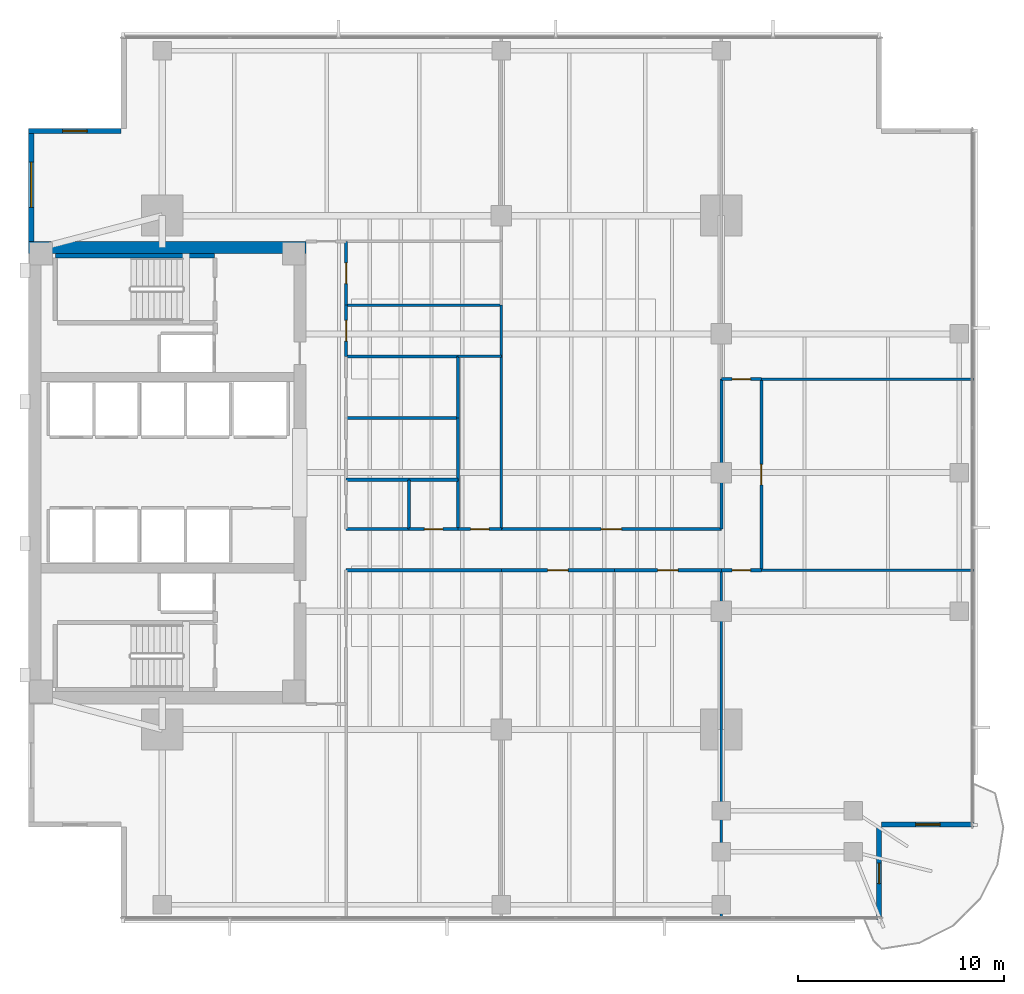
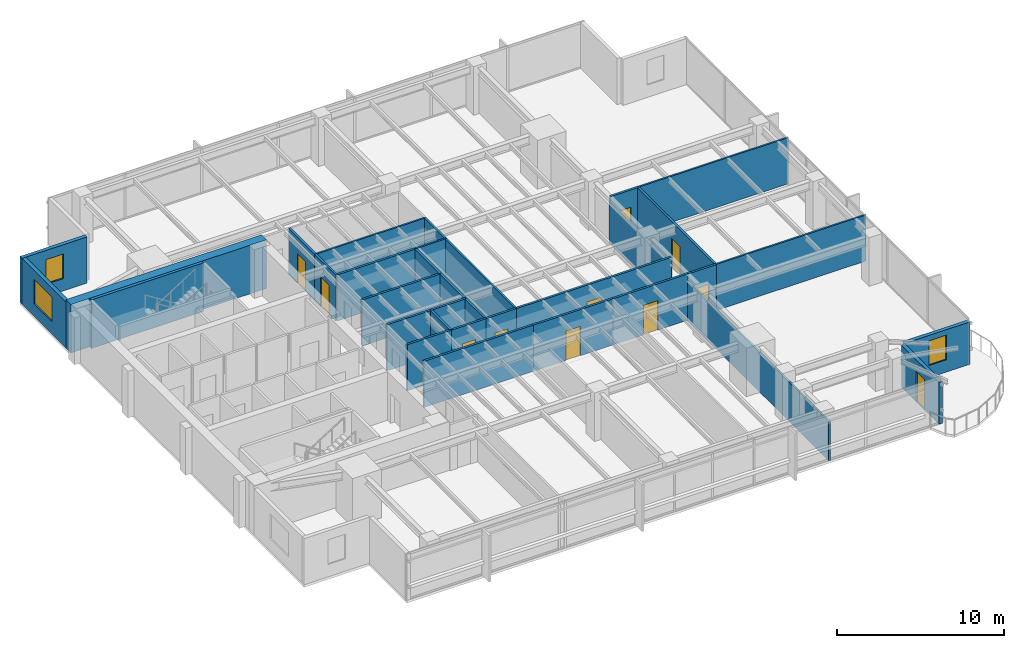
# One storey, part 9 of 15: 34 walls, 11 doors, 3 windows, 14 openings.
"""IFC4 building model written with IfcOpenShell, lengths in metres."""

import ifcopenshell
import ifcopenshell.guid

model = None  # the IFC model being written
_history = None  # IfcOwnerHistory: only IFC2X3 demands one
_inside = {}  # id of a spatial element -> (the spatial element, [elements in it])
_under = {}  # id of a project, library or spatial element -> (it, [spatial elements below it])
_declared = {}  # id of a project -> (the project, [libraries it declares])
_typed = {}  # id of a type object -> (the type object, [elements of that type])
_made_of = {}  # id of a material, layer set ... -> (it, [elements and type objects made of it])


def new_model(schema):
    """Start an empty IFC model of exactly this schema.

    Asked for "IFC4X3", IfcOpenShell would pick the latest addendum, in which some entities
    have other attributes; the version numbers below select the first issue.
    IFC2X3 requires an IfcOwnerHistory on every rooted entity: one is made here for all.
    """
    global model, _history
    if schema == "IFC4X3":
        model = ifcopenshell.file(schema_version=(4, 3, 0, 0))
    else:
        model = ifcopenshell.file(schema=schema)
    _inside.clear()
    _under.clear()
    _declared.clear()
    _typed.clear()
    _made_of.clear()
    _history = None
    if model.schema == "IFC2X3":
        org = make("IfcOrganization", Name="unknown")
        user = make(
            "IfcPersonAndOrganization",
            ThePerson=make("IfcPerson", FamilyName="unknown"),
            TheOrganization=org,
        )
        app = make(
            "IfcApplication",
            ApplicationDeveloper=org,
            Version="unknown",
            ApplicationFullName="unknown",
            ApplicationIdentifier="unknown",
        )
        _history = make(
            "IfcOwnerHistory",
            OwningUser=user,
            OwningApplication=app,
            ChangeAction="ADDED",
            CreationDate=0,
        )
    return model


def make(cls, **values):
    """One entity of the class cls with the attributes given. An attribute that is None is left unset."""
    return model.create_entity(
        cls, **{name: value for name, value in values.items() if value is not None}
    )


def rooted(cls, **values):
    """An entity with a GlobalId (a new one), such as an element, a storey or a relation."""
    return make(cls, GlobalId=ifcopenshell.guid.new(), OwnerHistory=_history, **values)


def si_unit(unit_type, name, prefix=None):
    """IfcSIUnit, for example si_unit("LENGTHUNIT", "METRE", prefix="MILLI")."""
    return make("IfcSIUnit", UnitType=unit_type, Prefix=prefix, Name=name)


def assignment(units):
    """IfcUnitAssignment: the units of a project."""
    return None if units is None else make("IfcUnitAssignment", Units=units)


def point(xyz):
    """IfcCartesianPoint."""
    return None if xyz is None else make("IfcCartesianPoint", Coordinates=xyz)


def direction(xyz):
    """IfcDirection."""
    return None if xyz is None else make("IfcDirection", DirectionRatios=xyz)


def frame(location, z_axis=None, x_axis=None):
    """IfcAxis2Placement3D, a coordinate frame: its origin and axes. An axis left out is left unset."""
    return make(
        "IfcAxis2Placement3D",
        Location=point(location),
        Axis=direction(z_axis),
        RefDirection=direction(x_axis),
    )


def frame_2d(location, x_axis=None):
    """IfcAxis2Placement2D, a coordinate frame in the plane: its origin and x axis."""
    return make(
        "IfcAxis2Placement2D", Location=point(location), RefDirection=direction(x_axis)
    )


def origin():
    """The frame at (0, 0, 0) with its axes left unset."""
    return frame((0.0, 0.0, 0.0))


def place(relative_to, where):
    """IfcLocalPlacement: puts the frame where relative to a parent placement (None: the world)."""
    return make(
        "IfcLocalPlacement", PlacementRelTo=relative_to, RelativePlacement=where
    )


def context(
    kind, dimensions, precision=None, world=None, true_north=None, identifier=None
):
    """IfcGeometricRepresentationContext, for example the 3D "Model" context."""
    return make(
        "IfcGeometricRepresentationContext",
        ContextIdentifier=identifier,
        ContextType=kind,
        CoordinateSpaceDimension=dimensions,
        Precision=precision,
        WorldCoordinateSystem=world,
        TrueNorth=true_north,
    )


def subcontext(parent, identifier, kind, view, scale=None):
    """IfcGeometricRepresentationSubContext, for example "Body" below "Model"."""
    return make(
        "IfcGeometricRepresentationSubContext",
        ContextIdentifier=identifier,
        ContextType=kind,
        ParentContext=parent,
        TargetScale=scale,
        TargetView=view,
    )


def project(units=None, contexts=None):
    """IfcProject with its units and contexts."""
    return rooted(
        "IfcProject",
        Name="project",
        RepresentationContexts=contexts,
        UnitsInContext=assignment(units),
    )


def spatial(cls, under=None, at=None, **own):
    """A site, building, storey or space (cls), placed at a placement, below another one or the project."""
    s = rooted(cls, ObjectPlacement=at, **own)
    if under is not None:
        _under.setdefault(under.id(), (under, []))[1].append(s)
    return s


def profile(cls, at=None, kind="AREA", **sizes):
    """A parametric profile (cls). Its sizes go by their IFC names, for example OverallWidth=200.0."""
    return make(cls, ProfileType=kind, Position=at, **sizes)


def rectangle(**sizes):
    """IfcRectangleProfileDef."""
    return profile("IfcRectangleProfileDef", **sizes)


def extrude(swept, where, along, depth):
    """IfcExtrudedAreaSolid: the profile swept, set in the frame where, extruded along a direction by depth."""
    return make(
        "IfcExtrudedAreaSolid",
        SweptArea=swept,
        Position=where,
        ExtrudedDirection=direction(along),
        Depth=depth,
    )


def shape(context_of_items, identifier, shape_type, items):
    """IfcShapeRepresentation: the items that make up one representation, for example the "Body"."""
    return make(
        "IfcShapeRepresentation",
        ContextOfItems=context_of_items,
        RepresentationIdentifier=identifier,
        RepresentationType=shape_type,
        Items=items,
    )


def material(Name=None, Category=None):
    """IfcMaterial."""
    return make("IfcMaterial", Name=Name, Category=Category)


def layer(
    of_material, thickness, ventilated=None, Name=None, Category=None, Priority=None
):
    """IfcMaterialLayer: one layer of a wall or slab, of a material (None: an air gap)."""
    return make(
        "IfcMaterialLayer",
        Material=of_material,
        LayerThickness=thickness,
        IsVentilated=ventilated,
        Name=Name,
        Category=Category,
        Priority=Priority,
    )


def layer_set(layers, Name=None):
    """IfcMaterialLayerSet."""
    return make("IfcMaterialLayerSet", MaterialLayers=layers, LayerSetName=Name)


def made_of(thing, what):
    """Note that an element or type object is made of a material, layer set ...; save() writes the relation."""
    if what is not None:
        _made_of.setdefault(what.id(), (what, []))[1].append(thing)
    return thing


def type_object(cls, material=None, **own):
    """A type object (cls), such as IfcWallType, which elements share."""
    return made_of(rooted(cls, **own), material)


def element(
    cls,
    number,
    at=None,
    inside=None,
    cuts=None,
    type_object=None,
    material=None,
    context=None,
    identifier="Body",
    shape_type=None,
    held_by="IfcProductDefinitionShape",
    body=None,
    shapes=None,
    **own,
):
    """One element of the class cls, such as IfcWall. Its Tag is "e" and its number.

    at: its placement. inside: the storey or other place that contains it. cuts: it is an
    opening in that element (IfcRelVoidsElement). A single representation is given by context,
    identifier, shape_type and body (its items); several are given by shapes. held_by: the class
    of the entity that holds the representations. save() writes the other relations.
    """
    e = rooted(cls, Tag="e%d" % number, ObjectPlacement=at, **own)
    if body is not None:
        shapes = [shape(context, identifier, shape_type, body)]
    if shapes is not None:
        e.Representation = make(held_by, Representations=shapes)
    if inside is not None:
        _inside.setdefault(inside.id(), (inside, []))[1].append(e)
    if cuts is not None:
        rooted(
            "IfcRelVoidsElement", RelatingBuildingElement=cuts, RelatedOpeningElement=e
        )
    if type_object is not None:
        _typed.setdefault(type_object.id(), (type_object, []))[1].append(e)
    return made_of(e, material)


def fill(opening, filler):
    """IfcRelFillsElement: the door or window that sits in an opening."""
    return rooted(
        "IfcRelFillsElement",
        RelatingOpeningElement=opening,
        RelatedBuildingElement=filler,
    )


def aggregate(whole, parts):
    """IfcRelAggregates: a whole, such as a stair, and the parts it consists of."""
    return rooted("IfcRelAggregates", RelatingObject=whole, RelatedObjects=parts)


def save(model, path):
    """Write the relations noted so far, then the file.

    IfcRelAggregates (storeys below a building ...), IfcRelContainedInSpatialStructure (elements
    in a storey), IfcRelDefinesByType, IfcRelAssociatesMaterial and IfcRelDeclares: one each for
    every whole, place, type object, material and project.
    """
    for whole, parts in _under.values():
        aggregate(whole, parts)
    for where, things in _inside.values():
        rooted(
            "IfcRelContainedInSpatialStructure",
            RelatedElements=things,
            RelatingStructure=where,
        )
    for kind, things in _typed.values():
        rooted("IfcRelDefinesByType", RelatedObjects=things, RelatingType=kind)
    for what, things in _made_of.values():
        rooted("IfcRelAssociatesMaterial", RelatedObjects=things, RelatingMaterial=what)
    for by, libraries in _declared.values():
        rooted("IfcRelDeclares", RelatingContext=by, RelatedDefinitions=libraries)
    model.write(path)


model = new_model("IFC4")

# Units and contexts
model_context = context("Model", 3, precision=1e-05, world=origin(), true_north=direction((0.0, 1.0)))
body_context = subcontext(model_context, "Body", "Model", "MODEL_VIEW")
ifc_project = project(units=[si_unit("LENGTHUNIT", "METRE"), si_unit("AREAUNIT", "SQUARE_METRE"), si_unit("VOLUMEUNIT", "CUBIC_METRE"), si_unit("PLANEANGLEUNIT", "RADIAN"), si_unit("MASSUNIT", "GRAM", prefix="KILO")], contexts=[model_context])

# Site, building, storey
site_placement = place(None, origin())
site = spatial("IfcSite", under=ifc_project, at=site_placement, CompositionType="ELEMENT")
building_placement = place(site_placement, origin())
building = spatial("IfcBuilding", under=site, at=building_placement, Name="Kinhvarn Gate Tower", CompositionType="ELEMENT")
storey_placement = place(building_placement, frame((0.0, 0.0, 109.35009765625)))
storey = spatial("IfcBuildingStorey", under=building, at=storey_placement, Name="L28", CompositionType="ELEMENT", Elevation=109.35009765625)

# Wall
ifc_material_1 = material(Name="Concrete C60/75", Category="concrete")
ifc_layer_1 = layer(ifc_material_1, 0.60009765625)
ifc_layer_set_1 = layer_set([ifc_layer_1], Name="Concrete C60/75")
wall_type_1 = type_object("IfcWallType", Name="WL-CORE-600", PredefinedType="SHEAR", material=ifc_layer_set_1)
wall_1_placement = place(storey_placement, frame((4.5, 36.199951171875, 0.0), z_axis=(0.0, 0.0, 1.0), x_axis=(1.0, 0.0, 0.0)))
element("IfcWall", 1, at=wall_1_placement, inside=storey, type_object=wall_type_1, Name="Core North Shear Wall L28 600 mm", PredefinedType="SHEAR", context=body_context, shape_type="SweptSolid", body=[
    extrude(rectangle(XDim=13.5, YDim=0.60009765625, at=frame_2d((6.75, 0.0))), origin(), (0.0, 0.0, 1.0), 3.5498046875),
])

# Wall, opening, window
ifc_material_2 = material(Name="Fired architectural terracotta", Category="masonry")
ifc_layer_2 = layer(ifc_material_2, 0.25)
ifc_layer_set_2 = layer_set([ifc_layer_2], Name="Fired architectural terracotta")
wall_type_2 = type_object("IfcWallType", Name="WL-EXT-250", PredefinedType="SOLIDWALL", material=ifc_layer_set_2)
wall_2_placement = place(storey_placement, frame((4.625, 42.0, 0.0), z_axis=(0.0, 0.0, 1.0), x_axis=(0.0, -1.0, 0.0)))
wall_2 = element("IfcWall", 2, at=wall_2_placement, inside=storey, type_object=wall_type_2, Name="Exterior Solidwall Wall EW-250 (L28 West-North)", PredefinedType="SOLIDWALL", context=body_context, shape_type="SweptSolid", body=[
    extrude(rectangle(XDim=5.5, YDim=0.25, at=frame_2d((2.75, 0.0))), origin(), (0.0, 0.0, 1.0), 3.369873046875),
])
opening_1_placement = place(wall_2_placement, frame((1.64990234375, 0.0, 0.89990234375)))
opening_1 = element("IfcOpeningElement", 3, at=opening_1_placement, cuts=wall_2, Name="Opening WN-01", PredefinedType="OPENING", context=body_context, shape_type="SweptSolid", body=[
    extrude(rectangle(XDim=2.199951171875, YDim=1.800048828125, at=frame_2d((1.10009765625, 0.89990234375))), frame((0.0, 0.135009765625, 0.0), z_axis=(0.0, -1.0, 0.0), x_axis=(1.0, 0.0, 0.0)), (0.0, 0.0, 1.0), 0.27001953125),
])
ifc_material_3 = material(Name="Clear low-e double glazing", Category="glass")
window_type_1 = type_object("IfcWindowType", Name="WIN-RIB-2200", PartitioningType="SINGLE_PANEL", PredefinedType="WINDOW", material=ifc_material_3)
window_1_placement = place(opening_1_placement, origin())
window_1 = element("IfcWindow", 4, at=window_1_placement, inside=storey, type_object=window_type_1, Name="West Flank Double-Glazed Ribbon Window 2200x1800 mm (L28)", OverallHeight=1.800048828125, OverallWidth=2.199951171875, PartitioningType="SINGLE_PANEL", PredefinedType="WINDOW", context=body_context, shape_type="SweptSolid", body=[
    extrude(rectangle(XDim=2.199951171875, YDim=1.800048828125, at=frame_2d((1.10009765625, 0.89990234375))), frame((0.0, 0.030029296875, 0.0), z_axis=(0.0, -1.0, 0.0), x_axis=(1.0, 0.0, 0.0)), (0.0, 0.0, 1.0), 0.06005859375),
])
fill(opening_1, window_1)

# Wall, opening, door
wall_3_placement = place(storey_placement, frame((45.875, 3.5, 0.0), z_axis=(0.0, 0.0, 1.0), x_axis=(0.0, 1.0, 0.0)))
wall_3 = element("IfcWall", 5, at=wall_3_placement, inside=storey, type_object=wall_type_2, Name="Exterior Solidwall Wall EW-250 (L28 SE-Notch-Door)", PredefinedType="SOLIDWALL", context=body_context, shape_type="SweptSolid", body=[
    extrude(rectangle(XDim=4.5, YDim=0.25, at=frame_2d((2.25, 0.0))), origin(), (0.0, 0.0, 1.0), 3.06982421875),
])
opening_2_placement = place(wall_3_placement, frame((1.75, 0.0, 0.0)))
opening_2 = element("IfcOpeningElement", 6, at=opening_2_placement, cuts=wall_3, Name="Opening BD-01", PredefinedType="OPENING", context=body_context, shape_type="SweptSolid", body=[
    extrude(rectangle(XDim=1.0, YDim=2.199951171875, at=frame_2d((0.5, 1.10009765625))), frame((0.0, 0.135009765625, 0.0), z_axis=(0.0, -1.0, 0.0), x_axis=(1.0, 0.0, 0.0)), (0.0, 0.0, 1.0), 0.27001953125),
])
door_type_1 = type_object("IfcDoorType", Name="DR-BAL-1000", OperationType="NOTDEFINED", PredefinedType="DOOR", material=ifc_material_3)
door_1_placement = place(opening_2_placement, frame((1.0, 0.0, 0.0), z_axis=(0.0, 0.0, 1.0), x_axis=(-1.0, 0.0, 0.0)))
door_1 = element("IfcDoor", 7, at=door_1_placement, inside=storey, type_object=door_type_1, Name="S-Carve Balcony Door BD-01 (L28)", OperationType="SINGLE_SWING_LEFT", OverallHeight=2.199951171875, OverallWidth=1.0, PredefinedType="DOOR", context=body_context, shape_type="SweptSolid", body=[
    extrude(rectangle(XDim=1.0, YDim=2.199951171875, at=frame_2d((0.5, 1.10009765625))), frame((0.0, 0.02490234375, 0.0), z_axis=(0.0, -1.0, 0.0), x_axis=(1.0, 0.0, 0.0)), (0.0, 0.0, 1.0), 0.050048828125),
])
fill(opening_2, door_1)

# Wall, opening, window
wall_4_placement = place(storey_placement, frame((46.0, 8.125, 0.0), z_axis=(0.0, 0.0, 1.0), x_axis=(1.0, 0.0, 0.0)))
wall_4 = element("IfcWall", 8, at=wall_4_placement, inside=storey, type_object=wall_type_2, Name="Exterior Solidwall Wall EW-250 (L28 SE-Notch-Win)", PredefinedType="SOLIDWALL", context=body_context, shape_type="SweptSolid", body=[
    extrude(rectangle(XDim=4.5, YDim=0.25, at=frame_2d((2.25, 0.0))), origin(), (0.0, 0.0, 1.0), 3.099853515625),
])
opening_3_placement = place(wall_4_placement, frame((1.64990234375, 0.0, 0.89990234375)))
opening_3 = element("IfcOpeningElement", 9, at=opening_3_placement, cuts=wall_4, Name="Opening WN-02", PredefinedType="OPENING", context=body_context, shape_type="SweptSolid", body=[
    extrude(rectangle(XDim=1.199951171875, YDim=1.800048828125, at=frame_2d((0.60009765625, 0.89990234375))), frame((0.0, 0.135009765625, 0.0), z_axis=(0.0, -1.0, 0.0), x_axis=(1.0, 0.0, 0.0)), (0.0, 0.0, 1.0), 0.27001953125),
])
window_type_2 = type_object("IfcWindowType", Name="WIN-NTC-1200", PartitioningType="SINGLE_PANEL", PredefinedType="WINDOW", material=ifc_material_3)
window_2_placement = place(opening_3_placement, origin())
window_2 = element("IfcWindow", 10, at=window_2_placement, inside=storey, type_object=window_type_2, Name="Recessed Corner Notch Punched Window 1200x1800 mm (L28)", OverallHeight=1.800048828125, OverallWidth=1.199951171875, PartitioningType="SINGLE_PANEL", PredefinedType="WINDOW", context=body_context, shape_type="SweptSolid", body=[
    extrude(rectangle(XDim=1.199951171875, YDim=1.800048828125, at=frame_2d((0.60009765625, 0.89990234375))), frame((0.0, 0.030029296875, 0.0), z_axis=(0.0, -1.0, 0.0), x_axis=(1.0, 0.0, 0.0)), (0.0, 0.0, 1.0), 0.06005859375),
])
fill(opening_3, window_2)

wall_5_placement = place(storey_placement, frame((9.0, 41.875, 0.0), z_axis=(0.0, 0.0, 1.0), x_axis=(-1.0, 0.0, 0.0)))
wall_5 = element("IfcWall", 11, at=wall_5_placement, inside=storey, type_object=wall_type_2, Name="Exterior Solidwall Wall EW-250 (L28 NW-Notch-2)", PredefinedType="SOLIDWALL", context=body_context, shape_type="SweptSolid", body=[
    extrude(rectangle(XDim=4.5, YDim=0.25, at=frame_2d((2.25, 0.0))), origin(), (0.0, 0.0, 1.0), 3.369873046875),
])
opening_4_placement = place(wall_5_placement, frame((1.64990234375, 0.0, 0.89990234375)))
opening_4 = element("IfcOpeningElement", 12, at=opening_4_placement, cuts=wall_5, Name="Opening WN-02", PredefinedType="OPENING", context=body_context, shape_type="SweptSolid", body=[
    extrude(rectangle(XDim=1.199951171875, YDim=1.800048828125, at=frame_2d((0.60009765625, 0.89990234375))), frame((0.0, 0.135009765625, 0.0), z_axis=(0.0, -1.0, 0.0), x_axis=(1.0, 0.0, 0.0)), (0.0, 0.0, 1.0), 0.27001953125),
])
window_3_placement = place(opening_4_placement, origin())
window_3 = element("IfcWindow", 13, at=window_3_placement, inside=storey, type_object=window_type_2, Name="Recessed Corner Notch Punched Window 1200x1800 mm (L28)", OverallHeight=1.800048828125, OverallWidth=1.199951171875, PartitioningType="SINGLE_PANEL", PredefinedType="WINDOW", context=body_context, shape_type="SweptSolid", body=[
    extrude(rectangle(XDim=1.199951171875, YDim=1.800048828125, at=frame_2d((0.60009765625, 0.89990234375))), frame((0.0, 0.030029296875, 0.0), z_axis=(0.0, -1.0, 0.0), x_axis=(1.0, 0.0, 0.0)), (0.0, 0.0, 1.0), 0.06005859375),
])
fill(opening_4, window_3)

# Walls
ifc_material_4 = material(Name="Gypsum acoustic partition board")
ifc_layer_3 = layer(ifc_material_4, 0.14990234375)
ifc_layer_set_3 = layer_set([ifc_layer_3], Name="Gypsum acoustic partition board")
wall_type_3 = type_object("IfcWallType", Name="WL-PLM-150", PredefinedType="PLUMBINGWALL", material=ifc_layer_set_3)
wall_6_placement = place(storey_placement, frame((23.0, 22.5, 0.0), z_axis=(0.0, 0.0, 1.0), x_axis=(0.0, 1.0, 0.0)))
element("IfcWall", 14, at=wall_6_placement, inside=storey, type_object=wall_type_3, Name="Interior Partition PLW-150 (L28)", PredefinedType="PLUMBINGWALL", context=body_context, shape_type="SweptSolid", body=[
    extrude(rectangle(XDim=2.39990234375, YDim=0.14990234375, at=frame_2d((1.199951171875, 0.0))), origin(), (0.0, 0.0, 1.0), 3.369873046875),
])
wall_7_placement = place(storey_placement, frame((19.949951171875, 24.89990234375, 0.0), z_axis=(0.0, 0.0, 1.0), x_axis=(1.0, 0.0, 0.0)))
element("IfcWall", 15, at=wall_7_placement, inside=storey, type_object=wall_type_3, Name="Interior Partition PLW-150 (L28)", PredefinedType="PLUMBINGWALL", context=body_context, shape_type="SweptSolid", body=[
    extrude(rectangle(XDim=3.050048828125, YDim=0.14990234375, at=frame_2d((1.52490234375, 0.0))), origin(), (0.0, 0.0, 1.0), 3.369873046875),
])
for number, where, z_axis, x_axis, name in (
    (16, (23.0, 24.89990234375, 0.0), (0.0, 0.0, 1.0), (1.0, 0.0, 0.0), "Interior Partition PLW-150 (L28)"),
    (17, (25.39990234375, 22.5, 0.0), (0.0, 0.0, 1.0), (0.0, 1.0, 0.0), "Interior Partition PLW-150 (L28)"),
):
    element("IfcWall", number, at=place(storey_placement, frame(where, z_axis=z_axis, x_axis=x_axis)), inside=storey, type_object=wall_type_3, Name=name, PredefinedType="PLUMBINGWALL", context=body_context, shape_type="SweptSolid", body=[
        extrude(rectangle(XDim=2.39990234375, YDim=0.14990234375, at=frame_2d((1.199951171875, 0.0))), origin(), (0.0, 0.0, 1.0), 3.369873046875),
    ])
wall_8_placement = place(storey_placement, frame((19.949951171875, 27.89990234375, 0.0), z_axis=(0.0, 0.0, 1.0), x_axis=(1.0, 0.0, 0.0)))
element("IfcWall", 18, at=wall_8_placement, inside=storey, type_object=wall_type_3, Name="Interior Partition PLW-150 (L28)", PredefinedType="PLUMBINGWALL", context=body_context, shape_type="SweptSolid", body=[
    extrude(rectangle(XDim=5.449951171875, YDim=0.14990234375, at=frame_2d((2.72509765625, 0.0))), origin(), (0.0, 0.0, 1.0), 3.369873046875),
])
for number, where, z_axis, x_axis, name in (
    (19, (25.39990234375, 24.89990234375, 0.0), (0.0, 0.0, 1.0), (0.0, 1.0, 0.0), "Interior Partition PLW-150 (L28)"),
    (20, (25.39990234375, 27.89990234375, 0.0), (0.0, 0.0, 1.0), (0.0, 1.0, 0.0), "Interior Partition PLW-150 (L28)"),
):
    element("IfcWall", number, at=place(storey_placement, frame(where, z_axis=z_axis, x_axis=x_axis)), inside=storey, type_object=wall_type_3, Name=name, PredefinedType="PLUMBINGWALL", context=body_context, shape_type="SweptSolid", body=[
        extrude(rectangle(XDim=3.0, YDim=0.14990234375, at=frame_2d((1.5, 0.0))), origin(), (0.0, 0.0, 1.0), 3.369873046875),
    ])
wall_9_placement = place(storey_placement, frame((19.949951171875, 30.89990234375, 0.0), z_axis=(0.0, 0.0, 1.0), x_axis=(1.0, 0.0, 0.0)))
element("IfcWall", 21, at=wall_9_placement, inside=storey, type_object=wall_type_3, Name="Interior Partition PLW-150 (L28)", PredefinedType="PLUMBINGWALL", context=body_context, shape_type="SweptSolid", body=[
    extrude(rectangle(XDim=5.449951171875, YDim=0.14990234375, at=frame_2d((2.72509765625, 0.0))), origin(), (0.0, 0.0, 1.0), 3.369873046875),
])
ifc_layer_4 = layer(ifc_material_4, 0.14990234375)
ifc_layer_set_4 = layer_set([ifc_layer_4], Name="Gypsum acoustic partition board")
wall_type_4 = type_object("IfcWallType", Name="WL-PLM-150F", PredefinedType="PLUMBINGWALL", material=ifc_layer_set_4)
wall_10_placement = place(storey_placement, frame((19.949951171875, 22.5, 0.0), z_axis=(0.0, 0.0, 1.0), x_axis=(1.0, 0.0, 0.0)))
element("IfcWall", 22, at=wall_10_placement, inside=storey, type_object=wall_type_4, Name="Interior Partition PLW-150F (L28)", PredefinedType="PLUMBINGWALL", context=body_context, shape_type="SweptSolid", body=[
    extrude(rectangle(XDim=3.050048828125, YDim=0.14990234375, at=frame_2d((1.52490234375, 0.0))), origin(), (0.0, 0.0, 1.0), 3.369873046875),
])

# Wall, opening, door
wall_11_placement = place(storey_placement, frame((23.0, 22.5, 0.0), z_axis=(0.0, 0.0, 1.0), x_axis=(1.0, 0.0, 0.0)))
wall_11 = element("IfcWall", 23, at=wall_11_placement, inside=storey, type_object=wall_type_4, Name="Interior Partition PLW-150F (L28)", PredefinedType="PLUMBINGWALL", context=body_context, shape_type="SweptSolid", body=[
    extrude(rectangle(XDim=2.39990234375, YDim=0.14990234375, at=frame_2d((1.199951171875, 0.0))), origin(), (0.0, 0.0, 1.0), 3.369873046875),
])
opening_5_placement = place(wall_11_placement, frame((0.75, 0.0, 0.0)))
opening_5 = element("IfcOpeningElement", 24, at=opening_5_placement, cuts=wall_11, Name="Opening FD-04", PredefinedType="OPENING", context=body_context, shape_type="SweptSolid", body=[
    extrude(rectangle(XDim=0.89990234375, YDim=2.10009765625, at=frame_2d((0.449951171875, 1.050048828125))), frame((0.0, 0.0849609375, 0.0), z_axis=(0.0, -1.0, 0.0), x_axis=(1.0, 0.0, 0.0)), (0.0, 0.0, 1.0), 0.169921875),
])
ifc_material_5 = material(Name="Anodised aluminium AW-6063", Category="aluminium")
door_type_2 = type_object("IfcDoorType", Name="DR-FD-900", OperationType="NOTDEFINED", PredefinedType="DOOR", material=ifc_material_5)
door_2_placement = place(opening_5_placement, origin())
door_2 = element("IfcDoor", 25, at=door_2_placement, inside=storey, type_object=door_type_2, Name="Rated Riser & Service Closet Fire Door 900x2100 mm (L28)", OperationType="SINGLE_SWING_RIGHT", OverallHeight=2.10009765625, OverallWidth=0.89990234375, PredefinedType="DOOR", context=body_context, shape_type="SweptSolid", body=[
    extrude(rectangle(XDim=0.89990234375, YDim=2.10009765625, at=frame_2d((0.449951171875, 1.050048828125))), frame((0.0, 0.02490234375, 0.0), z_axis=(0.0, -1.0, 0.0), x_axis=(1.0, 0.0, 0.0)), (0.0, 0.0, 1.0), 0.050048828125),
])
fill(opening_5, door_2)

# Walls
ifc_layer_5 = layer(ifc_material_4, 0.1201171875)
ifc_layer_set_5 = layer_set([ifc_layer_5], Name="Gypsum acoustic partition board")
wall_type_5 = type_object("IfcWallType", Name="WL-PRT-120", PredefinedType="PARTITIONING", material=ifc_layer_set_5)
wall_12_placement = place(storey_placement, frame((25.39990234375, 30.89990234375, 0.0), z_axis=(0.0, 0.0, 1.0), x_axis=(1.0, 0.0, 0.0)))
element("IfcWall", 26, at=wall_12_placement, inside=storey, type_object=wall_type_5, Name="Interior Partition PW-120 (L28)", PredefinedType="PARTITIONING", context=body_context, shape_type="SweptSolid", body=[
    extrude(rectangle(XDim=2.10009765625, YDim=0.1201171875, at=frame_2d((1.050048828125, 0.0))), origin(), (0.0, 0.0, 1.0), 3.369873046875),
])
wall_13_placement = place(storey_placement, frame((27.5, 22.5, 0.0), z_axis=(0.0, 0.0, 1.0), x_axis=(0.0, 1.0, 0.0)))
element("IfcWall", 27, at=wall_13_placement, inside=storey, type_object=wall_type_5, Name="Interior Partition PW-120 (L28)", PredefinedType="PARTITIONING", context=body_context, shape_type="SweptSolid", body=[
    extrude(rectangle(XDim=8.39990234375, YDim=0.1201171875, at=frame_2d((4.199951171875, 0.0))), origin(), (0.0, 0.0, 1.0), 3.369873046875),
])
wall_14_placement = place(storey_placement, frame((19.949951171875, 33.39990234375, 0.0), z_axis=(0.0, 0.0, 1.0), x_axis=(1.0, 0.0, 0.0)))
element("IfcWall", 28, at=wall_14_placement, inside=storey, type_object=wall_type_5, Name="Interior Partition PW-120 (L28)", PredefinedType="PARTITIONING", context=body_context, shape_type="SweptSolid", body=[
    extrude(rectangle(XDim=7.550048828125, YDim=0.1201171875, at=frame_2d((3.77490234375, 0.0))), origin(), (0.0, 0.0, 1.0), 3.369873046875),
])
wall_15_placement = place(storey_placement, frame((27.5, 30.89990234375, 0.0), z_axis=(0.0, 0.0, 1.0), x_axis=(0.0, 1.0, 0.0)))
element("IfcWall", 29, at=wall_15_placement, inside=storey, type_object=wall_type_5, Name="Interior Partition PW-120 (L28)", PredefinedType="PARTITIONING", context=body_context, shape_type="SweptSolid", body=[
    extrude(rectangle(XDim=2.5, YDim=0.1201171875, at=frame_2d((1.25, 0.0))), origin(), (0.0, 0.0, 1.0), 3.369873046875),
])
wall_16_placement = place(storey_placement, frame((38.199951171875, 3.510009765625, 0.0), z_axis=(0.0, 0.0, 1.0), x_axis=(0.0, 1.0, 0.0)))
element("IfcWall", 30, at=wall_16_placement, inside=storey, type_object=wall_type_5, Name="Interior Partition PW-120 (L28)", PredefinedType="PARTITIONING", context=body_context, shape_type="SweptSolid", body=[
    extrude(rectangle(XDim=16.989990234375, YDim=0.1201171875, at=frame_2d((8.4951171875, 0.0))), origin(), (0.0, 0.0, 1.0), 2.869873046875),
])
for number, where, z_axis, x_axis, name in (
    (31, (40.14990234375, 20.5, 0.0), (0.0, 0.0, 1.0), (1.0, 0.0, 0.0), "Interior Partition PW-120 (L28)"),
    (32, (40.14990234375, 29.800048828125, 0.0), (0.0, 0.0, 1.0), (1.0, 0.0, 0.0), "Interior Partition PW-120 (L28)"),
):
    element("IfcWall", number, at=place(storey_placement, frame(where, z_axis=z_axis, x_axis=x_axis)), inside=storey, type_object=wall_type_5, Name=name, PredefinedType="PARTITIONING", context=body_context, shape_type="SweptSolid", body=[
        extrude(rectangle(XDim=10.340087890625, YDim=0.1201171875, at=frame_2d((5.169921875, 0.0))), origin(), (0.0, 0.0, 1.0), 3.369873046875),
    ])

# Wall, opening, door
ifc_layer_6 = layer(ifc_material_4, 0.14990234375)
ifc_layer_set_6 = layer_set([ifc_layer_6], Name="Gypsum acoustic partition board")
wall_type_6 = type_object("IfcWallType", Name="WL-PRT-150F", PredefinedType="PARTITIONING", material=ifc_layer_set_6)
wall_17_placement = place(storey_placement, frame((19.949951171875, 30.89990234375, 0.0), z_axis=(0.0, 0.0, 1.0), x_axis=(0.0, 1.0, 0.0)))
wall_17 = element("IfcWall", 33, at=wall_17_placement, inside=storey, type_object=wall_type_6, Name="Interior Partition PW-150F (L28)", PredefinedType="PARTITIONING", context=body_context, shape_type="SweptSolid", body=[
    extrude(rectangle(XDim=2.5, YDim=0.14990234375, at=frame_2d((1.25, 0.0))), origin(), (0.0, 0.0, 1.0), 3.369873046875),
])
opening_6_placement = place(wall_17_placement, frame((0.75, 0.0, 0.0)))
opening_6 = element("IfcOpeningElement", 34, at=opening_6_placement, cuts=wall_17, Name="Opening ID-02", PredefinedType="OPENING", context=body_context, shape_type="SweptSolid", body=[
    extrude(rectangle(XDim=1.0, YDim=2.14990234375, at=frame_2d((0.5, 1.074951171875))), frame((0.0, 0.0849609375, 0.0), z_axis=(0.0, -1.0, 0.0), x_axis=(1.0, 0.0, 0.0)), (0.0, 0.0, 1.0), 0.169921875),
])
door_type_3 = type_object("IfcDoorType", Name="DR-INT-1000", OperationType="NOTDEFINED", PredefinedType="DOOR", material=ifc_material_5)
door_3_placement = place(opening_6_placement, origin())
door_3 = element("IfcDoor", 35, at=door_3_placement, inside=storey, type_object=door_type_3, Name="Standard Office & Meeting Room Door 1000x2150 mm (L28)", OperationType="SINGLE_SWING_LEFT", OverallHeight=2.14990234375, OverallWidth=1.0, PredefinedType="DOOR", context=body_context, shape_type="SweptSolid", body=[
    extrude(rectangle(XDim=1.0, YDim=2.14990234375, at=frame_2d((0.5, 1.074951171875))), frame((0.0, 0.02490234375, 0.0), z_axis=(0.0, -1.0, 0.0), x_axis=(1.0, 0.0, 0.0)), (0.0, 0.0, 1.0), 0.050048828125),
])
fill(opening_6, door_3)

wall_18_placement = place(storey_placement, frame((19.949951171875, 33.39990234375, 0.0), z_axis=(0.0, 0.0, 1.0), x_axis=(0.0, 1.0, 0.0)))
wall_18 = element("IfcWall", 36, at=wall_18_placement, inside=storey, type_object=wall_type_6, Name="Interior Partition PW-150F (L28)", PredefinedType="PARTITIONING", context=body_context, shape_type="SweptSolid", body=[
    extrude(rectangle(XDim=3.10009765625, YDim=0.14990234375, at=frame_2d((1.550048828125, 0.0))), origin(), (0.0, 0.0, 1.0), 3.369873046875),
])
opening_7_placement = place(wall_18_placement, frame((1.050048828125, 0.0, 0.0)))
opening_7 = element("IfcOpeningElement", 37, at=opening_7_placement, cuts=wall_18, Name="Opening ID-02", PredefinedType="OPENING", context=body_context, shape_type="SweptSolid", body=[
    extrude(rectangle(XDim=1.0, YDim=2.14990234375, at=frame_2d((0.5, 1.074951171875))), frame((0.0, 0.0849609375, 0.0), z_axis=(0.0, -1.0, 0.0), x_axis=(1.0, 0.0, 0.0)), (0.0, 0.0, 1.0), 0.169921875),
])
door_4_placement = place(opening_7_placement, origin())
door_4 = element("IfcDoor", 38, at=door_4_placement, inside=storey, type_object=door_type_3, Name="Standard Office & Meeting Room Door 1000x2150 mm (L28)", OperationType="SINGLE_SWING_RIGHT", OverallHeight=2.14990234375, OverallWidth=1.0, PredefinedType="DOOR", context=body_context, shape_type="SweptSolid", body=[
    extrude(rectangle(XDim=1.0, YDim=2.14990234375, at=frame_2d((0.5, 1.074951171875))), frame((0.0, 0.02490234375, 0.0), z_axis=(0.0, -1.0, 0.0), x_axis=(1.0, 0.0, 0.0)), (0.0, 0.0, 1.0), 0.050048828125),
])
fill(opening_7, door_4)

wall_19_placement = place(storey_placement, frame((25.39990234375, 22.5, 0.0), z_axis=(0.0, 0.0, 1.0), x_axis=(1.0, 0.0, 0.0)))
wall_19 = element("IfcWall", 39, at=wall_19_placement, inside=storey, type_object=wall_type_6, Name="Interior Partition PW-150F (L28)", PredefinedType="PARTITIONING", context=body_context, shape_type="SweptSolid", body=[
    extrude(rectangle(XDim=2.10009765625, YDim=0.14990234375, at=frame_2d((1.050048828125, 0.0))), origin(), (0.0, 0.0, 1.0), 3.369873046875),
])
opening_8_placement = place(wall_19_placement, frame((0.60009765625, 0.0, 0.0)))
opening_8 = element("IfcOpeningElement", 40, at=opening_8_placement, cuts=wall_19, Name="Opening ID-03", PredefinedType="OPENING", context=body_context, shape_type="SweptSolid", body=[
    extrude(rectangle(XDim=0.89990234375, YDim=2.10009765625, at=frame_2d((0.449951171875, 1.050048828125))), frame((0.0, 0.0849609375, 0.0), z_axis=(0.0, -1.0, 0.0), x_axis=(1.0, 0.0, 0.0)), (0.0, 0.0, 1.0), 0.169921875),
])
door_type_4 = type_object("IfcDoorType", Name="DR-INT-900", OperationType="NOTDEFINED", PredefinedType="DOOR", material=ifc_material_5)
door_5_placement = place(opening_8_placement, origin())
door_5 = element("IfcDoor", 41, at=door_5_placement, inside=storey, type_object=door_type_4, Name="Cellular Office & Restroom Door 900x2100 mm (L28)", OperationType="SINGLE_SWING_LEFT", OverallHeight=2.10009765625, OverallWidth=0.89990234375, PredefinedType="DOOR", context=body_context, shape_type="SweptSolid", body=[
    extrude(rectangle(XDim=0.89990234375, YDim=2.10009765625, at=frame_2d((0.449951171875, 1.050048828125))), frame((0.0, 0.02490234375, 0.0), z_axis=(0.0, -1.0, 0.0), x_axis=(1.0, 0.0, 0.0)), (0.0, 0.0, 1.0), 0.050048828125),
])
fill(opening_8, door_5)

# Wall
wall_20_placement = place(storey_placement, frame((19.949951171875, 20.5, 0.0), z_axis=(0.0, 0.0, 1.0), x_axis=(1.0, 0.0, 0.0)))
element("IfcWall", 42, at=wall_20_placement, inside=storey, type_object=wall_type_6, Name="Interior Partition PW-150F (L28)", PredefinedType="PARTITIONING", context=body_context, shape_type="SweptSolid", body=[
    extrude(rectangle(XDim=7.550048828125, YDim=0.14990234375, at=frame_2d((3.77490234375, 0.0))), origin(), (0.0, 0.0, 1.0), 3.369873046875),
])

# Wall, opening, door
wall_21_placement = place(storey_placement, frame((27.5, 20.5, 0.0), z_axis=(0.0, 0.0, 1.0), x_axis=(1.0, 0.0, 0.0)))
wall_21 = element("IfcWall", 43, at=wall_21_placement, inside=storey, type_object=wall_type_6, Name="Interior Partition PW-150F (L28)", PredefinedType="PARTITIONING", context=body_context, shape_type="SweptSolid", body=[
    extrude(rectangle(XDim=5.5, YDim=0.14990234375, at=frame_2d((2.75, 0.0))), origin(), (0.0, 0.0, 1.0), 3.369873046875),
])
opening_9_placement = place(wall_21_placement, frame((2.25, 0.0, 0.0)))
opening_9 = element("IfcOpeningElement", 44, at=opening_9_placement, cuts=wall_21, Name="Opening ID-02", PredefinedType="OPENING", context=body_context, shape_type="SweptSolid", body=[
    extrude(rectangle(XDim=1.0, YDim=2.14990234375, at=frame_2d((0.5, 1.074951171875))), frame((0.0, 0.0849609375, 0.0), z_axis=(0.0, -1.0, 0.0), x_axis=(1.0, 0.0, 0.0)), (0.0, 0.0, 1.0), 0.169921875),
])
door_6_placement = place(opening_9_placement, origin())
door_6 = element("IfcDoor", 45, at=door_6_placement, inside=storey, type_object=door_type_3, Name="Standard Office & Meeting Room Door 1000x2150 mm (L28)", OperationType="SINGLE_SWING_RIGHT", OverallHeight=2.14990234375, OverallWidth=1.0, PredefinedType="DOOR", context=body_context, shape_type="SweptSolid", body=[
    extrude(rectangle(XDim=1.0, YDim=2.14990234375, at=frame_2d((0.5, 1.074951171875))), frame((0.0, 0.02490234375, 0.0), z_axis=(0.0, -1.0, 0.0), x_axis=(1.0, 0.0, 0.0)), (0.0, 0.0, 1.0), 0.050048828125),
])
fill(opening_9, door_6)

wall_22_placement = place(storey_placement, frame((33.0, 20.5, 0.0), z_axis=(0.0, 0.0, 1.0), x_axis=(1.0, 0.0, 0.0)))
wall_22 = element("IfcWall", 46, at=wall_22_placement, inside=storey, type_object=wall_type_6, Name="Interior Partition PW-150F (L28)", PredefinedType="PARTITIONING", context=body_context, shape_type="SweptSolid", body=[
    extrude(rectangle(XDim=5.199951171875, YDim=0.14990234375, at=frame_2d((2.60009765625, 0.0))), origin(), (0.0, 0.0, 1.0), 3.369873046875),
])
opening_10_placement = place(wall_22_placement, frame((2.10009765625, 0.0, 0.0)))
opening_10 = element("IfcOpeningElement", 47, at=opening_10_placement, cuts=wall_22, Name="Opening ID-02", PredefinedType="OPENING", context=body_context, shape_type="SweptSolid", body=[
    extrude(rectangle(XDim=1.0, YDim=2.14990234375, at=frame_2d((0.5, 1.074951171875))), frame((0.0, 0.0849609375, 0.0), z_axis=(0.0, -1.0, 0.0), x_axis=(1.0, 0.0, 0.0)), (0.0, 0.0, 1.0), 0.169921875),
])
door_7_placement = place(opening_10_placement, origin())
door_7 = element("IfcDoor", 48, at=door_7_placement, inside=storey, type_object=door_type_3, Name="Standard Office & Meeting Room Door 1000x2150 mm (L28)", OperationType="SINGLE_SWING_LEFT", OverallHeight=2.14990234375, OverallWidth=1.0, PredefinedType="DOOR", context=body_context, shape_type="SweptSolid", body=[
    extrude(rectangle(XDim=1.0, YDim=2.14990234375, at=frame_2d((0.5, 1.074951171875))), frame((0.0, 0.02490234375, 0.0), z_axis=(0.0, -1.0, 0.0), x_axis=(1.0, 0.0, 0.0)), (0.0, 0.0, 1.0), 0.050048828125),
])
fill(opening_10, door_7)

wall_23_placement = place(storey_placement, frame((27.5, 22.5, 0.0), z_axis=(0.0, 0.0, 1.0), x_axis=(1.0, 0.0, 0.0)))
wall_23 = element("IfcWall", 49, at=wall_23_placement, inside=storey, type_object=wall_type_6, Name="Interior Partition PW-150F (L28)", PredefinedType="PARTITIONING", context=body_context, shape_type="SweptSolid", body=[
    extrude(rectangle(XDim=10.699951171875, YDim=0.14990234375, at=frame_2d((5.35009765625, 0.0))), origin(), (0.0, 0.0, 1.0), 3.369873046875),
])
opening_11_placement = place(wall_23_placement, frame((4.85009765625, 0.0, 0.0)))
opening_11 = element("IfcOpeningElement", 50, at=opening_11_placement, cuts=wall_23, Name="Opening ID-02", PredefinedType="OPENING", context=body_context, shape_type="SweptSolid", body=[
    extrude(rectangle(XDim=1.0, YDim=2.14990234375, at=frame_2d((0.5, 1.074951171875))), frame((0.0, 0.0849609375, 0.0), z_axis=(0.0, -1.0, 0.0), x_axis=(1.0, 0.0, 0.0)), (0.0, 0.0, 1.0), 0.169921875),
])
door_8_placement = place(opening_11_placement, origin())
door_8 = element("IfcDoor", 51, at=door_8_placement, inside=storey, type_object=door_type_3, Name="Standard Office & Meeting Room Door 1000x2150 mm (L28)", OperationType="SINGLE_SWING_RIGHT", OverallHeight=2.14990234375, OverallWidth=1.0, PredefinedType="DOOR", context=body_context, shape_type="SweptSolid", body=[
    extrude(rectangle(XDim=1.0, YDim=2.14990234375, at=frame_2d((0.5, 1.074951171875))), frame((0.0, 0.02490234375, 0.0), z_axis=(0.0, -1.0, 0.0), x_axis=(1.0, 0.0, 0.0)), (0.0, 0.0, 1.0), 0.050048828125),
])
fill(opening_11, door_8)

# Wall
wall_24_placement = place(storey_placement, frame((38.199951171875, 22.5, 0.0), z_axis=(0.0, 0.0, 1.0), x_axis=(0.0, 1.0, 0.0)))
element("IfcWall", 52, at=wall_24_placement, inside=storey, type_object=wall_type_6, Name="Interior Partition PW-150F (L28)", PredefinedType="PARTITIONING", context=body_context, shape_type="SweptSolid", body=[
    extrude(rectangle(XDim=7.300048828125, YDim=0.14990234375, at=frame_2d((3.64990234375, 0.0))), origin(), (0.0, 0.0, 1.0), 2.869873046875),
])

# Wall, opening, door
wall_25_placement = place(storey_placement, frame((38.199951171875, 20.5, 0.0), z_axis=(0.0, 0.0, 1.0), x_axis=(1.0, 0.0, 0.0)))
wall_25 = element("IfcWall", 53, at=wall_25_placement, inside=storey, type_object=wall_type_6, Name="Interior Partition PW-150F (L28)", PredefinedType="PARTITIONING", context=body_context, shape_type="SweptSolid", body=[
    extrude(rectangle(XDim=1.949951171875, YDim=0.14990234375, at=frame_2d((0.97509765625, 0.0))), origin(), (0.0, 0.0, 1.0), 3.369873046875),
])
opening_12_placement = place(wall_25_placement, frame((0.52490234375, 0.0, 0.0)))
opening_12 = element("IfcOpeningElement", 54, at=opening_12_placement, cuts=wall_25, Name="Opening ID-03", PredefinedType="OPENING", context=body_context, shape_type="SweptSolid", body=[
    extrude(rectangle(XDim=0.89990234375, YDim=2.10009765625, at=frame_2d((0.449951171875, 1.050048828125))), frame((0.0, 0.0849609375, 0.0), z_axis=(0.0, -1.0, 0.0), x_axis=(1.0, 0.0, 0.0)), (0.0, 0.0, 1.0), 0.169921875),
])
door_9_placement = place(opening_12_placement, origin())
door_9 = element("IfcDoor", 55, at=door_9_placement, inside=storey, type_object=door_type_4, Name="Cellular Office & Restroom Door 900x2100 mm (L28)", OperationType="SINGLE_SWING_LEFT", OverallHeight=2.10009765625, OverallWidth=0.89990234375, PredefinedType="DOOR", context=body_context, shape_type="SweptSolid", body=[
    extrude(rectangle(XDim=0.89990234375, YDim=2.10009765625, at=frame_2d((0.449951171875, 1.050048828125))), frame((0.0, 0.02490234375, 0.0), z_axis=(0.0, -1.0, 0.0), x_axis=(1.0, 0.0, 0.0)), (0.0, 0.0, 1.0), 0.050048828125),
])
fill(opening_12, door_9)

wall_26_placement = place(storey_placement, frame((40.14990234375, 20.5, 0.0), z_axis=(0.0, 0.0, 1.0), x_axis=(0.0, 1.0, 0.0)))
wall_26 = element("IfcWall", 56, at=wall_26_placement, inside=storey, type_object=wall_type_6, Name="Interior Partition PW-150F (L28)", PredefinedType="PARTITIONING", context=body_context, shape_type="SweptSolid", body=[
    extrude(rectangle(XDim=9.300048828125, YDim=0.14990234375, at=frame_2d((4.64990234375, 0.0))), origin(), (0.0, 0.0, 1.0), 3.369873046875),
])
opening_13_placement = place(wall_26_placement, frame((4.14990234375, 0.0, 0.0)))
opening_13 = element("IfcOpeningElement", 57, at=opening_13_placement, cuts=wall_26, Name="Opening ID-02", PredefinedType="OPENING", context=body_context, shape_type="SweptSolid", body=[
    extrude(rectangle(XDim=1.0, YDim=2.14990234375, at=frame_2d((0.5, 1.074951171875))), frame((0.0, 0.0849609375, 0.0), z_axis=(0.0, -1.0, 0.0), x_axis=(1.0, 0.0, 0.0)), (0.0, 0.0, 1.0), 0.169921875),
])
door_10_placement = place(opening_13_placement, origin())
door_10 = element("IfcDoor", 58, at=door_10_placement, inside=storey, type_object=door_type_3, Name="Standard Office & Meeting Room Door 1000x2150 mm (L28)", OperationType="SINGLE_SWING_RIGHT", OverallHeight=2.14990234375, OverallWidth=1.0, PredefinedType="DOOR", context=body_context, shape_type="SweptSolid", body=[
    extrude(rectangle(XDim=1.0, YDim=2.14990234375, at=frame_2d((0.5, 1.074951171875))), frame((0.0, 0.02490234375, 0.0), z_axis=(0.0, -1.0, 0.0), x_axis=(1.0, 0.0, 0.0)), (0.0, 0.0, 1.0), 0.050048828125),
])
fill(opening_13, door_10)

wall_27_placement = place(storey_placement, frame((38.199951171875, 29.800048828125, 0.0), z_axis=(0.0, 0.0, 1.0), x_axis=(1.0, 0.0, 0.0)))
wall_27 = element("IfcWall", 59, at=wall_27_placement, inside=storey, type_object=wall_type_6, Name="Interior Partition PW-150F (L28)", PredefinedType="PARTITIONING", context=body_context, shape_type="SweptSolid", body=[
    extrude(rectangle(XDim=1.949951171875, YDim=0.14990234375, at=frame_2d((0.97509765625, 0.0))), origin(), (0.0, 0.0, 1.0), 3.369873046875),
])
opening_14_placement = place(wall_27_placement, frame((0.52490234375, 0.0, 0.0)))
opening_14 = element("IfcOpeningElement", 60, at=opening_14_placement, cuts=wall_27, Name="Opening ID-03", PredefinedType="OPENING", context=body_context, shape_type="SweptSolid", body=[
    extrude(rectangle(XDim=0.89990234375, YDim=2.10009765625, at=frame_2d((0.449951171875, 1.050048828125))), frame((0.0, 0.0849609375, 0.0), z_axis=(0.0, -1.0, 0.0), x_axis=(1.0, 0.0, 0.0)), (0.0, 0.0, 1.0), 0.169921875),
])
door_11_placement = place(opening_14_placement, origin())
door_11 = element("IfcDoor", 61, at=door_11_placement, inside=storey, type_object=door_type_4, Name="Cellular Office & Restroom Door 900x2100 mm (L28)", OperationType="SINGLE_SWING_LEFT", OverallHeight=2.10009765625, OverallWidth=0.89990234375, PredefinedType="DOOR", context=body_context, shape_type="SweptSolid", body=[
    extrude(rectangle(XDim=0.89990234375, YDim=2.10009765625, at=frame_2d((0.449951171875, 1.050048828125))), frame((0.0, 0.02490234375, 0.0), z_axis=(0.0, -1.0, 0.0), x_axis=(1.0, 0.0, 0.0)), (0.0, 0.0, 1.0), 0.050048828125),
])
fill(opening_14, door_11)

# Wall
ifc_material_6 = material(Name="Concrete C40/50", Category="concrete")
ifc_layer_7 = layer(ifc_material_6, 0.199951171875)
ifc_layer_set_7 = layer_set([ifc_layer_7], Name="Concrete C40/50")
wall_type_7 = type_object("IfcWallType", Name="WL-SHF-200", PredefinedType="SOLIDWALL", material=ifc_layer_set_7)
wall_28_placement = place(storey_placement, frame((5.800048828125, 35.800048828125, 0.0), z_axis=(0.0, 0.0, 1.0), x_axis=(1.0, 0.0, 0.0)))
element("IfcWall", 62, at=wall_28_placement, inside=storey, type_object=wall_type_7, Name="Stair ST2 North Shaft Wall (L28)", PredefinedType="SOLIDWALL", context=body_context, shape_type="SweptSolid", body=[
    extrude(rectangle(XDim=7.75, YDim=0.199951171875, at=frame_2d((3.875, 0.0))), origin(), (0.0, 0.0, 1.0), 3.5498046875),
])

save(model, "model.ifc")
